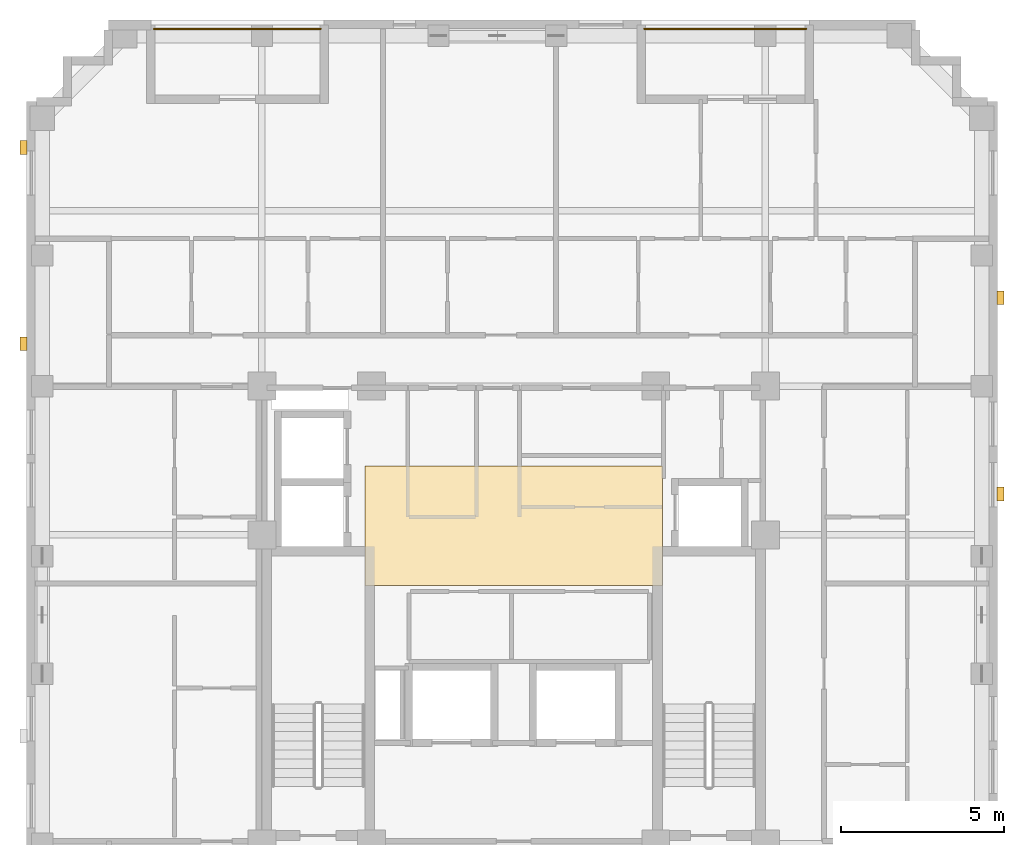
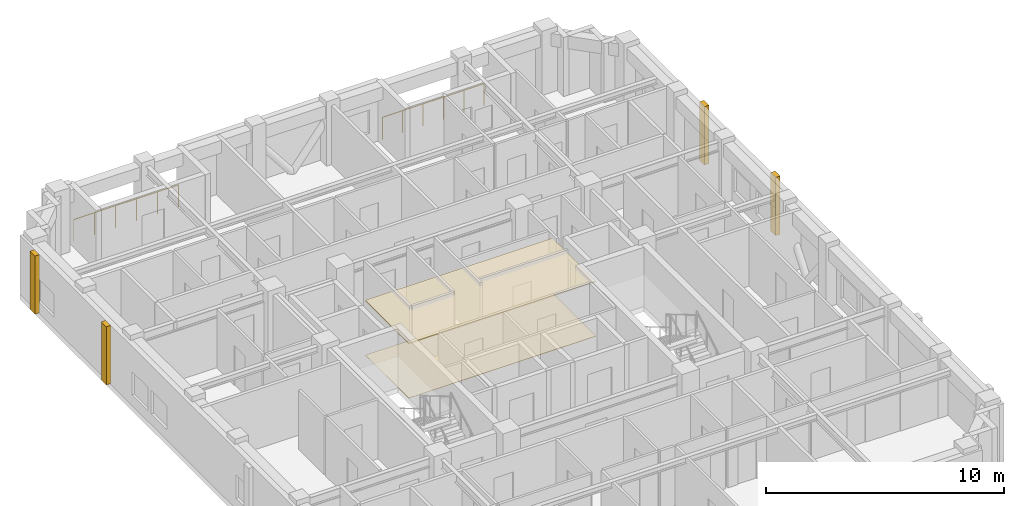
# One storey, part 11 of 11: 6 coverings, 2 railings.
"""IFC4 building model written with IfcOpenShell, lengths in metres."""

from ifc_helpers import new_model, si_unit, derived_unit, direction, frame, origin, origin_2d, place, context, subcontext, project, spatial, polyline, rectangle, circle, outline, extrude, material, layer, layer_set, type_object, element, save


model = new_model("IFC4")

# Units and contexts
model_context = context("Model", 3, precision=1e-05, world=origin(), true_north=direction((0.0, 1.0)))
body_context = subcontext(model_context, "Body", "Model", "MODEL_VIEW")
ifc_project = project(units=[si_unit("LENGTHUNIT", "METRE"), si_unit("AREAUNIT", "SQUARE_METRE"), si_unit("VOLUMEUNIT", "CUBIC_METRE"), si_unit("PLANEANGLEUNIT", "RADIAN"), si_unit("MASSUNIT", "GRAM", prefix="KILO"), derived_unit("THERMALTRANSMITTANCEUNIT", [(si_unit("MASSUNIT", "GRAM", prefix="KILO"), 1), (si_unit("TIMEUNIT", "SECOND"), -3), (si_unit("THERMODYNAMICTEMPERATUREUNIT", "KELVIN"), -1)])], contexts=[model_context])

# Site, building, storey
site_placement = place(None, origin())
site = spatial("IfcSite", under=ifc_project, at=site_placement, CompositionType="ELEMENT")
building_placement = place(site_placement, origin())
building = spatial("IfcBuilding", under=site, at=building_placement, Name="Korrvale Station Residences", CompositionType="ELEMENT")
storey_placement = place(building_placement, frame((0.0, 0.0, 190.89990234375)))
storey = spatial("IfcBuildingStorey", under=building, at=storey_placement, Name="L55", CompositionType="ELEMENT", Elevation=190.89990234375)

# Coverings
ifc_material_1 = material(Name="Perforated acoustic mineral-fibre suspended ceiling", Category="gypsum")
ifc_layer_1 = layer(ifc_material_1, 0.050048828125, Name="Perforated acoustic mineral-fibre suspended ceiling")
ifc_layer_set_1 = layer_set([ifc_layer_1], Name="Perforated acoustic mineral-fibre suspended ceiling")
covering_type_1 = type_object("IfcCoveringType", Name="COV-CLG-AC60", PredefinedType="CEILING", material=ifc_layer_set_1)
covering_1_placement = place(storey_placement, frame((0.0, 0.0, 2.7900390625)))
element("IfcCovering", 1, at=covering_1_placement, inside=storey, type_object=covering_type_1, Name="L55 Elevator Lobby Acoustic Ceiling", PredefinedType="CEILING", context=body_context, shape_type="SweptSolid", body=[
    extrude(outline(polyline([(20.949951171875, 22.89990234375), (30.050048828125, 22.89990234375), (30.050048828125, 26.550048828125), (20.949951171875, 26.550048828125), (20.949951171875, 22.89990234375)])), origin(), (0.0, 0.0, 1.0), 0.050048828125),
])
ifc_material_2 = material(Name="Polished quartz-terrazzo lobby flooring", Category="masonry")
ifc_layer_2 = layer(ifc_material_2, 0.02001953125, Name="Polished quartz-terrazzo lobby flooring")
ifc_layer_set_2 = layer_set([ifc_layer_2], Name="Polished quartz-terrazzo lobby flooring")
covering_type_2 = type_object("IfcCoveringType", Name="COV-FLR-TER20", PredefinedType="FLOORING", material=ifc_layer_set_2)
covering_2_placement = place(storey_placement, origin())
element("IfcCovering", 2, at=covering_2_placement, inside=storey, type_object=covering_type_2, Name="L55 Elevator Lobby Terrazzo Flooring", PredefinedType="FLOORING", context=body_context, shape_type="SweptSolid", body=[
    extrude(outline(polyline([(20.949951171875, 22.89990234375), (30.050048828125, 22.89990234375), (30.050048828125, 26.550048828125), (20.949951171875, 26.550048828125), (20.949951171875, 22.89990234375)])), origin(), (0.0, 0.0, 1.0), 0.02001953125),
])
ifc_material_3 = material(Name="Architectural precast concrete C45/55", Category="concrete")
ifc_layer_3 = layer(ifc_material_3, 0.219970703125, Name="Architectural precast concrete C45/55")
ifc_layer_set_3 = layer_set([ifc_layer_3], Name="Architectural precast concrete C45/55")
covering_type_3 = type_object("IfcCoveringType", Name="COV-PIER-400", PredefinedType="CLADDING", material=ifc_layer_set_3)
for number, where, z_axis, x_axis, name in (
    (3, (10.510009765625, 30.300048828125, 0.02490234375), (0.0, 0.0, 1.0), (0.0, 1.0, 0.0), "L55 Architectural Precast Facade Pier 04"),
    (4, (10.510009765625, 36.300048828125, 0.02490234375), (0.0, 0.0, 1.0), (0.0, 1.0, 0.0), "L55 Architectural Precast Facade Pier 05"),
    (5, (40.389892578125, 31.699951171875, 0.02490234375), (0.0, 0.0, 1.0), (0.0, 1.0, 0.0), "L55 Architectural Precast Facade Pier 06"),
    (6, (40.389892578125, 25.699951171875, 0.02490234375), (0.0, 0.0, 1.0), (0.0, 1.0, 0.0), "L55 Architectural Precast Facade Pier 07"),
):
    element("IfcCovering", number, at=place(storey_placement, frame(where, z_axis=z_axis, x_axis=x_axis)), inside=storey, type_object=covering_type_3, Name=name, PredefinedType="CLADDING", context=body_context, shape_type="SweptSolid", body=[
        extrude(rectangle(XDim=0.419921875, YDim=0.219970703125, at=origin_2d()), origin(), (0.0, 0.0, 1.0), 2.989990234375),
    ])

# Railings
ifc_material_4 = material(Name="Powder-coated aluminium picket loggia guard", Category="aluminium")
railing_type = type_object("IfcRailingType", Name="RLG-BAL-1150", PredefinedType="GUARDRAIL", material=ifc_material_4)
railing_1_placement = place(storey_placement, frame((14.5, 39.929931640625, 0.0)))
element("IfcRailing", 7, at=railing_1_placement, inside=storey, type_object=railing_type, Name="L55 Recessed Loggia Guardrail BAL-L55-N2", PredefinedType="GUARDRAIL", context=body_context, shape_type="SweptSolid", body=[
    extrude(circle(Radius=0.02392578125, at=origin_2d()), frame((0.0, 0.0, 1.1259765625), z_axis=(1.0, 0.0, 0.0), x_axis=(0.0, 1.0, 0.0)), (0.0, 0.0, 1.0), 5.10009765625),
    extrude(circle(Radius=0.02099609375, at=origin_2d()), origin(), (0.0, 0.0, 1.0), 1.101806640625),
    extrude(circle(Radius=0.02099609375, at=origin_2d()), frame((1.02001953125, 0.0, 0.0)), (0.0, 0.0, 1.0), 1.101806640625),
    extrude(circle(Radius=0.02099609375, at=origin_2d()), frame((2.0400390625, 0.0, 0.0)), (0.0, 0.0, 1.0), 1.101806640625),
    extrude(circle(Radius=0.02099609375, at=origin_2d()), frame((3.06005859375, 0.0, 0.0)), (0.0, 0.0, 1.0), 1.101806640625),
    extrude(circle(Radius=0.02099609375, at=origin_2d()), frame((4.080078125, 0.0, 0.0)), (0.0, 0.0, 1.0), 1.101806640625),
    extrude(circle(Radius=0.02099609375, at=origin_2d()), frame((5.10009765625, 0.0, 0.0)), (0.0, 0.0, 1.0), 1.101806640625),
])
railing_2_placement = place(storey_placement, frame((29.5, 39.929931640625, 0.0)))
element("IfcRailing", 8, at=railing_2_placement, inside=storey, type_object=railing_type, Name="L55 Recessed Loggia Guardrail BAL-L55-N1", PredefinedType="GUARDRAIL", context=body_context, shape_type="SweptSolid", body=[
    extrude(circle(Radius=0.02392578125, at=origin_2d()), frame((0.0, 0.0, 1.1259765625), z_axis=(1.0, 0.0, 0.0), x_axis=(0.0, 1.0, 0.0)), (0.0, 0.0, 1.0), 4.949951171875),
    extrude(circle(Radius=0.02099609375, at=origin_2d()), origin(), (0.0, 0.0, 1.0), 1.101806640625),
    extrude(circle(Radius=0.02099609375, at=origin_2d()), frame((0.989990234375, 0.0, 0.0)), (0.0, 0.0, 1.0), 1.101806640625),
    extrude(circle(Radius=0.02099609375, at=origin_2d()), frame((1.97998046875, 0.0, 0.0)), (0.0, 0.0, 1.0), 1.101806640625),
    extrude(circle(Radius=0.02099609375, at=origin_2d()), frame((2.969970703125, 0.0, 0.0)), (0.0, 0.0, 1.0), 1.101806640625),
    extrude(circle(Radius=0.02099609375, at=origin_2d()), frame((3.9599609375, 0.0, 0.0)), (0.0, 0.0, 1.0), 1.101806640625),
    extrude(circle(Radius=0.02099609375, at=origin_2d()), frame((4.949951171875, 0.0, 0.0)), (0.0, 0.0, 1.0), 1.101806640625),
])

save(model, "model.ifc")
